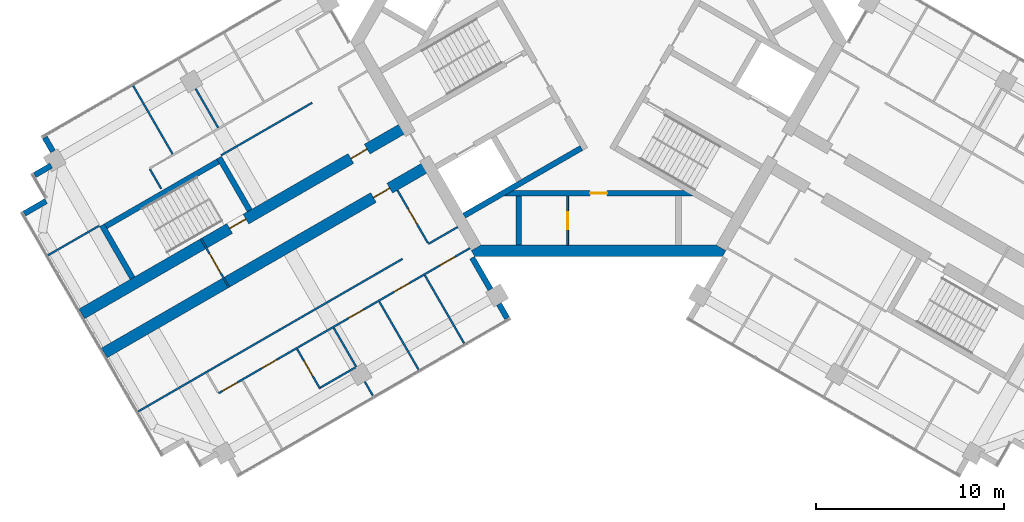
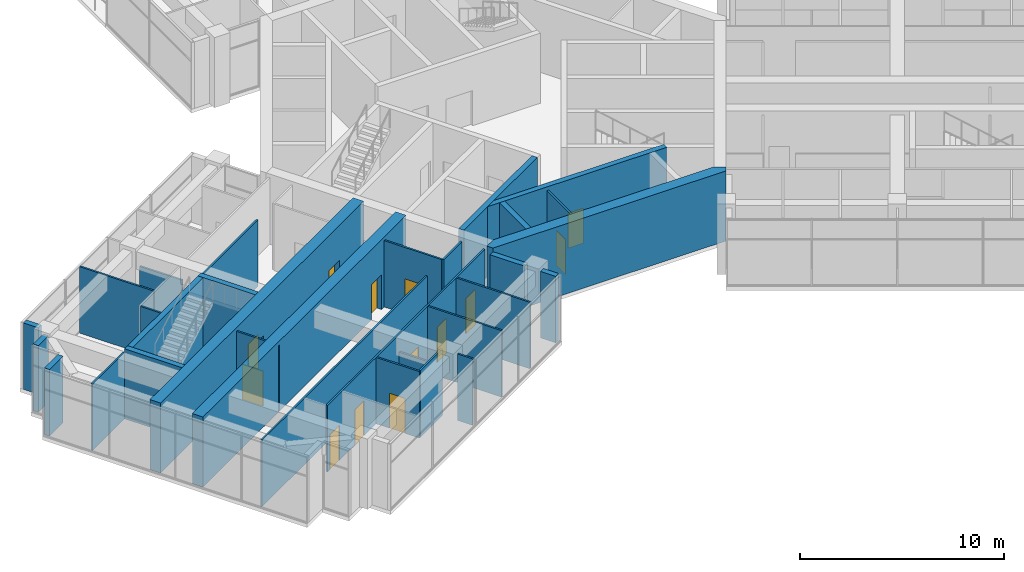
# One storey, part 10 of 15: 31 walls, 13 doors, 13 openings.
"""IFC4 building model written with IfcOpenShell, lengths in metres."""

from ifc_helpers import new_model, si_unit, direction, frame, frame_2d, origin, place, context, subcontext, project, spatial, polyline, rectangle, outline, extrude, material, layer, layer_set, type_object, element, fill, save


model = new_model("IFC4")

# Units and contexts
model_context = context("Model", 3, precision=1e-05, world=origin(), true_north=direction((0.0, 1.0)))
body_context = subcontext(model_context, "Body", "Model", "MODEL_VIEW")
ifc_project = project(units=[si_unit("LENGTHUNIT", "METRE"), si_unit("AREAUNIT", "SQUARE_METRE"), si_unit("VOLUMEUNIT", "CUBIC_METRE"), si_unit("PLANEANGLEUNIT", "RADIAN"), si_unit("MASSUNIT", "GRAM", prefix="KILO")], contexts=[model_context])

# Site, building, storey
site_placement = place(None, origin())
site = spatial("IfcSite", under=ifc_project, at=site_placement, CompositionType="ELEMENT")
building_placement = place(site_placement, origin())
building = spatial("IfcBuilding", under=site, at=building_placement, Name="Impinga Residences", CompositionType="ELEMENT")
storey_placement = place(building_placement, frame((0.0, 0.0, 274.75)))
storey = spatial("IfcBuildingStorey", under=building, at=storey_placement, Name="L69", CompositionType="ELEMENT", Elevation=274.75)

# Wall, opening, door
ifc_material_1 = material(Name="Concrete C60/75", Category="concrete")
ifc_layer_1 = layer(ifc_material_1, 0.60009765625)
ifc_layer_set_1 = layer_set([ifc_layer_1], Name="Concrete C60/75")
wall_type_1 = type_object("IfcWallType", Name="BW3 corridor buttress wall, L46 to L73 600", PredefinedType="SHEAR", material=ifc_layer_set_1)
wall_1_placement = place(storey_placement, frame((-9.040283203125, -6.60498046875, 0.0), z_axis=(0.0, 0.0, 1.0), x_axis=(-0.866025922281, -0.499999101937, 0.0)))
wall_1 = element("IfcWall", 1, at=wall_1_placement, inside=storey, type_object=wall_type_1, Name="Corridor wall BW3 WC L69", PredefinedType="SHEAR", context=body_context, shape_type="SweptSolid", body=[
    extrude(rectangle(XDim=19.93798828125, YDim=0.60009765625, at=frame_2d((9.968994140625, 0.0))), origin(), (0.0, 0.0, 1.0), 4.199951171875),
])
opening_1_placement = place(wall_1_placement, frame((2.39990234375, 0.0, 0.0)))
opening_1 = element("IfcOpeningElement", 2, at=opening_1_placement, cuts=wall_1, Name="Opening D1", PredefinedType="OPENING", context=body_context, shape_type="SweptSolid", body=[
    extrude(rectangle(XDim=1.0, YDim=2.10009765625, at=frame_2d((0.5, 1.050048828125))), frame((0.0, 0.31005859375, 0.0), z_axis=(0.0, -1.0, 0.0), x_axis=(1.0, 0.0, 0.0)), (0.0, 0.0, 1.0), 0.6201171875),
])
ifc_material_2 = material(Name="Timber door set", Category="wood")
door_type_1 = type_object("IfcDoorType", Name="D1 apartment entrance door 1000x2100", OperationType="SINGLE_SWING_LEFT", PredefinedType="DOOR", material=ifc_material_2)
door_1_placement = place(opening_1_placement, origin())
door_1 = element("IfcDoor", 3, at=door_1_placement, inside=storey, type_object=door_type_1, Name="Apartment L69-WA1 entrance", OperationType="SINGLE_SWING_LEFT", OverallHeight=2.10009765625, OverallWidth=1.0, PredefinedType="DOOR", context=body_context, shape_type="SweptSolid", body=[
    extrude(rectangle(XDim=1.0, YDim=2.10009765625, at=frame_2d((0.5, 1.050048828125))), frame((0.0, 0.02490234375, 0.0), z_axis=(0.0, -1.0, 0.0), x_axis=(1.0, 0.0, 0.0)), (0.0, 0.0, 1.0), 0.050048828125),
])
fill(opening_1, door_1)

# Wall, openings, doors
wall_2_placement = place(storey_placement, frame((-10.240234375, -4.526611328125, 0.0), z_axis=(0.0, 0.0, 1.0), x_axis=(-0.866025922281, -0.499999101937, 0.0)))
wall_2 = element("IfcWall", 4, at=wall_2_placement, inside=storey, type_object=wall_type_1, Name="Corridor wall BW3 WD L69", PredefinedType="SHEAR", context=body_context, shape_type="SweptSolid", body=[
    extrude(rectangle(XDim=19.93798828125, YDim=0.60009765625, at=frame_2d((9.968994140625, 0.0))), origin(), (0.0, 0.0, 1.0), 4.199951171875),
])
opening_2_placement = place(wall_2_placement, frame((9.85009765625, 0.0, 0.0)))
opening_2 = element("IfcOpeningElement", 5, at=opening_2_placement, cuts=wall_2, Name="Opening D5", PredefinedType="OPENING", context=body_context, shape_type="SweptSolid", body=[
    extrude(rectangle(XDim=1.0, YDim=2.10009765625, at=frame_2d((0.5, 1.050048828125))), frame((0.0, 0.31005859375, 0.0), z_axis=(0.0, -1.0, 0.0), x_axis=(1.0, 0.0, 0.0)), (0.0, 0.0, 1.0), 0.6201171875),
])
opening_3_placement = place(wall_2_placement, frame((2.39990234375, 0.0, 0.0)))
opening_3 = element("IfcOpeningElement", 6, at=opening_3_placement, cuts=wall_2, Name="Opening D1", PredefinedType="OPENING", context=body_context, shape_type="SweptSolid", body=[
    extrude(rectangle(XDim=1.0, YDim=2.10009765625, at=frame_2d((0.5, 1.050048828125))), frame((0.0, 0.31005859375, 0.0), z_axis=(0.0, -1.0, 0.0), x_axis=(1.0, 0.0, 0.0)), (0.0, 0.0, 1.0), 0.6201171875),
])
door_2_placement = place(opening_3_placement, origin())
door_2 = element("IfcDoor", 7, at=door_2_placement, inside=storey, type_object=door_type_1, Name="Apartment L69-WF1 entrance", OperationType="SINGLE_SWING_LEFT", OverallHeight=2.10009765625, OverallWidth=1.0, PredefinedType="DOOR", context=body_context, shape_type="SweptSolid", body=[
    extrude(rectangle(XDim=1.0, YDim=2.10009765625, at=frame_2d((0.5, 1.050048828125))), frame((0.0, 0.02490234375, 0.0), z_axis=(0.0, -1.0, 0.0), x_axis=(1.0, 0.0, 0.0)), (0.0, 0.0, 1.0), 0.050048828125),
])
fill(opening_3, door_2)
door_type_2 = type_object("IfcDoorType", Name="D5 stair door 1000x2100", OperationType="SINGLE_SWING_LEFT", PredefinedType="DOOR", material=ifc_material_2)
door_3_placement = place(opening_2_placement, origin())
door_3 = element("IfcDoor", 8, at=door_3_placement, inside=storey, type_object=door_type_2, Name="Wing stair door W", OperationType="SINGLE_SWING_RIGHT", OverallHeight=2.10009765625, OverallWidth=1.0, PredefinedType="DOOR", context=body_context, shape_type="SweptSolid", body=[
    extrude(rectangle(XDim=1.0, YDim=2.10009765625, at=frame_2d((0.5, 1.050048828125))), frame((0.0, 0.02490234375, 0.0), z_axis=(0.0, -1.0, 0.0), x_axis=(1.0, 0.0, 0.0)), (0.0, 0.0, 1.0), 0.050048828125),
])
fill(opening_2, door_3)

# Wall, opening, door
ifc_material_3 = material(Name="Concrete blockwork", Category="masonry")
ifc_layer_2 = layer(ifc_material_3, 0.10009765625)
ifc_layer_set_2 = layer_set([ifc_layer_2], Name="CP1 core room partition, blockwork 100")
wall_type_2 = type_object("IfcWallType", Name="CP1 core room partition, blockwork 100", PredefinedType="PARTITIONING", material=ifc_layer_set_2)
wall_3_placement = place(storey_placement, frame((-1.64990234375, -8.2314453125, 0.0), z_axis=(0.0, 0.0, 1.0), x_axis=(0.0, -1.0, 0.0)))
wall_3 = element("IfcWall", 9, at=wall_3_placement, inside=storey, type_object=wall_type_2, Name="Core room partition, blockwork L69:CORE:low:ZP1", PredefinedType="PARTITIONING", context=body_context, shape_type="SweptSolid", body=[
    extrude(rectangle(XDim=2.60009765625, YDim=0.10009765625, at=frame_2d((1.300048828125, 0.0))), origin(), (0.0, 0.0, 1.0), 3.97998046875),
])
opening_4_placement = place(wall_3_placement, frame((0.85009765625, 0.0, 0.0)))
opening_4 = element("IfcOpeningElement", 10, at=opening_4_placement, cuts=wall_3, Name="Opening D6", PredefinedType="OPENING", context=body_context, shape_type="SweptSolid", body=[
    extrude(rectangle(XDim=0.89990234375, YDim=2.10009765625, at=frame_2d((0.449951171875, 1.050048828125))), frame((0.0, 0.06005859375, 0.0), z_axis=(0.0, -1.0, 0.0), x_axis=(1.0, 0.0, 0.0)), (0.0, 0.0, 1.0), 0.1201171875),
])
door_type_3 = type_object("IfcDoorType", Name="D6 riser and store door 900x2100", OperationType="SINGLE_SWING_LEFT", PredefinedType="DOOR", material=ifc_material_2)
door_4_placement = place(opening_4_placement, origin())
door_4 = element("IfcDoor", 11, at=door_4_placement, inside=storey, type_object=door_type_3, Name="Residents' storage lockers door", OperationType="SINGLE_SWING_LEFT", OverallHeight=2.10009765625, OverallWidth=0.89990234375, PredefinedType="DOOR", context=body_context, shape_type="SweptSolid", body=[
    extrude(rectangle(XDim=0.89990234375, YDim=2.10009765625, at=frame_2d((0.449951171875, 1.050048828125))), frame((0.0, 0.02490234375, 0.0), z_axis=(0.0, -1.0, 0.0), x_axis=(1.0, 0.0, 0.0)), (0.0, 0.0, 1.0), 0.050048828125),
])
fill(opening_4, door_4)

wall_4_placement = place(storey_placement, frame((-19.672119140625, -13.08984375, 0.0), z_axis=(0.0, 0.0, 1.0), x_axis=(-0.499990139034, 0.866031096941, 0.0)))
wall_4 = element("IfcWall", 12, at=wall_4_placement, inside=storey, type_object=wall_type_2, Name="Core room partition, blockwork L69:W:LNG", PredefinedType="PARTITIONING", context=body_context, shape_type="SweptSolid", body=[
    extrude(rectangle(XDim=3.0, YDim=0.10009765625, at=frame_2d((1.5, 0.0))), origin(), (0.0, 0.0, 1.0), 3.97998046875),
])
opening_5_placement = place(wall_4_placement, frame((0.89990234375, 0.0, 0.0)))
opening_5 = element("IfcOpeningElement", 13, at=opening_5_placement, cuts=wall_4, Name="Opening D3", PredefinedType="OPENING", context=body_context, shape_type="SweptSolid", body=[
    extrude(rectangle(XDim=1.199951171875, YDim=2.10009765625, at=frame_2d((0.60009765625, 1.050048828125))), frame((0.0, 0.06005859375, 0.0), z_axis=(0.0, -1.0, 0.0), x_axis=(1.0, 0.0, 0.0)), (0.0, 0.0, 1.0), 0.1201171875),
])
door_type_4 = type_object("IfcDoorType", Name="D3 room door, leaf and a half 1200x2100", OperationType="DOUBLE_SWING_LEFT", PredefinedType="DOOR", material=ifc_material_2)
door_5_placement = place(opening_5_placement, origin())
door_5 = element("IfcDoor", 14, at=door_5_placement, inside=storey, type_object=door_type_4, Name="Residents' lounge door W", OperationType="DOUBLE_SWING_LEFT", OverallHeight=2.10009765625, OverallWidth=1.199951171875, PredefinedType="DOOR", context=body_context, shape_type="SweptSolid", body=[
    extrude(rectangle(XDim=1.199951171875, YDim=2.10009765625, at=frame_2d((0.60009765625, 1.050048828125))), frame((0.0, 0.02490234375, 0.0), z_axis=(0.0, -1.0, 0.0), x_axis=(1.0, 0.0, 0.0)), (0.0, 0.0, 1.0), 0.050048828125),
])
fill(opening_5, door_5)

# Walls
ifc_material_4 = material(Name="Stone facing on blockwork", Category="masonry")
ifc_layer_3 = layer(ifc_material_4, 0.300048828125)
ifc_layer_set_3 = layer_set([ifc_layer_3], Name="EW2 external wall, stone facing on blockwork 300")
wall_type_3 = type_object("IfcWallType", Name="EW2 external wall, stone facing on blockwork 300", PredefinedType="SOLIDWALL", material=ifc_layer_set_3)
wall_5_placement = place(storey_placement, frame((-30.56201171875, -9.157958984375, 0.0), z_axis=(0.0, 0.0, 1.0), x_axis=(0.866020521143, 0.500008456887, 0.0)))
element("IfcWall", 15, at=wall_5_placement, inside=storey, type_object=wall_type_3, Name="External wall EW2 L69", PredefinedType="SOLIDWALL", context=body_context, shape_type="SweptSolid", body=[
    extrude(rectangle(XDim=1.330078125, YDim=0.300048828125, at=frame_2d((0.6650390625, 0.0))), origin(), (0.0, 0.0, 1.0), 3.97998046875),
])
wall_6_placement = place(storey_placement, frame((-30.012939453125, -7.10888671875, 0.0), z_axis=(0.0, 0.0, 1.0), x_axis=(0.866073420066, 0.499916824138, 0.0)))
element("IfcWall", 16, at=wall_6_placement, inside=storey, type_object=wall_type_3, Name="External wall EW2 L69", PredefinedType="SOLIDWALL", context=body_context, shape_type="SweptSolid", body=[
    extrude(rectangle(XDim=1.014892578125, YDim=0.300048828125, at=frame_2d((0.50732421875, 0.0))), origin(), (0.0, 0.0, 1.0), 3.97998046875),
])
wall_7_placement = place(storey_placement, frame((-29.0458984375, -5.854248046875, 0.0), z_axis=(0.0, 0.0, 1.0), x_axis=(-0.499885902046, 0.866091268248, 0.0)))
element("IfcWall", 17, at=wall_7_placement, inside=storey, type_object=wall_type_3, Name="External wall EW2 L69", PredefinedType="SOLIDWALL", context=body_context, shape_type="SweptSolid", body=[
    extrude(rectangle(XDim=0.862060546875, YDim=0.300048828125, at=frame_2d((0.43115234375, 0.0))), origin(), (0.0, 0.0, 1.0), 3.97998046875),
])
wall_8_placement = place(storey_placement, frame((-6.72998046875, -11.506591796875, 0.0), z_axis=(0.0, 0.0, 1.0), x_axis=(0.500043961785, -0.866000020948, 0.0)))
element("IfcWall", 18, at=wall_8_placement, inside=storey, type_object=wall_type_3, Name="External wall EW2 L69", PredefinedType="SOLIDWALL", context=body_context, shape_type="SweptSolid", body=[
    extrude(rectangle(XDim=1.949951171875, YDim=0.300048828125, at=frame_2d((0.97509765625, 0.0))), origin(), (0.0, 0.0, 1.0), 3.97998046875),
])
wall_9_placement = place(storey_placement, frame((-5.304931640625, -13.974609375, 0.0), z_axis=(0.0, 0.0, 1.0), x_axis=(0.500023708017, -0.866011715522, 0.0)))
element("IfcWall", 19, at=wall_9_placement, inside=storey, type_object=wall_type_3, Name="External wall EW2 L69", PredefinedType="SOLIDWALL", context=body_context, shape_type="SweptSolid", body=[
    extrude(rectangle(XDim=0.865234375, YDim=0.300048828125, at=frame_2d((0.4326171875, 0.0))), origin(), (0.0, 0.0, 1.0), 3.97998046875),
])
ifc_material_5 = material(Name="Gypsum board on steel studs", Category="steel")
ifc_layer_4 = layer(ifc_material_5, 0.10009765625)
ifc_layer_set_4 = layer_set([ifc_layer_4], Name="Gypsum board on steel studs")
wall_type_4 = type_object("IfcWallType", Name="IP1 partition 100", PredefinedType="PARTITIONING", material=ifc_layer_set_4)
wall_10_placement = place(storey_placement, frame((-7.5, -9.872802734375, 0.0), z_axis=(0.0, 0.0, 1.0), x_axis=(-0.866047807691, -0.499961193289, 0.0)))
element("IfcWall", 20, at=wall_10_placement, inside=storey, type_object=wall_type_4, Name="Partition L69-WA1:DIV0", PredefinedType="PARTITIONING", context=body_context, shape_type="SweptSolid", body=[
    extrude(rectangle(XDim=1.800048828125, YDim=0.10009765625, at=frame_2d((0.89990234375, 0.0))), origin(), (0.0, 0.0, 1.0), 3.97998046875),
])
wall_11_placement = place(storey_placement, frame((-10.444580078125, -11.57275390625, 0.0), z_axis=(0.0, 0.0, 1.0), x_axis=(-0.86602583418, -0.499999254532, 0.0)))
element("IfcWall", 21, at=wall_11_placement, inside=storey, type_object=wall_type_4, Name="Partition L69-WA1:DIV1", PredefinedType="PARTITIONING", context=body_context, shape_type="SweptSolid", body=[
    extrude(rectangle(XDim=16.23681640625, YDim=0.10009765625, at=frame_2d((8.118408203125, 0.0))), origin(), (0.0, 0.0, 1.0), 3.97998046875),
])

# Wall, openings, doors
wall_12_placement = place(storey_placement, frame((-6.85009765625, -10.99853515625, 0.0), z_axis=(0.0, 0.0, 1.0), x_axis=(-0.866019273868, -0.500010617176, 0.0)))
wall_12 = element("IfcWall", 22, at=wall_12_placement, inside=storey, type_object=wall_type_4, Name="Partition L69-WA1:STRIP", PredefinedType="PARTITIONING", context=body_context, shape_type="SweptSolid", body=[
    extrude(rectangle(XDim=15.449951171875, YDim=0.10009765625, at=frame_2d((7.72509765625, 0.0))), origin(), (0.0, 0.0, 1.0), 3.97998046875),
])
opening_6_placement = place(wall_12_placement, frame((0.925048828125, 0.0, 0.0)))
opening_6 = element("IfcOpeningElement", 23, at=opening_6_placement, cuts=wall_12, Name="Opening D2", PredefinedType="OPENING", context=body_context, shape_type="SweptSolid", body=[
    extrude(rectangle(XDim=0.89990234375, YDim=2.10009765625, at=frame_2d((0.449951171875, 1.050048828125))), frame((0.0, 0.06005859375, 0.0), z_axis=(0.0, -1.0, 0.0), x_axis=(1.0, 0.0, 0.0)), (0.0, 0.0, 1.0), 0.1201171875),
])
opening_7_placement = place(wall_12_placement, frame((3.75, 0.0, 0.0)))
opening_7 = element("IfcOpeningElement", 24, at=opening_7_placement, cuts=wall_12, Name="Opening D2", PredefinedType="OPENING", context=body_context, shape_type="SweptSolid", body=[
    extrude(rectangle(XDim=0.89990234375, YDim=2.10009765625, at=frame_2d((0.449951171875, 1.050048828125))), frame((0.0, 0.06005859375, 0.0), z_axis=(0.0, -1.0, 0.0), x_axis=(1.0, 0.0, 0.0)), (0.0, 0.0, 1.0), 0.1201171875),
])
opening_8_placement = place(wall_12_placement, frame((6.550048828125, 0.0, 0.0)))
opening_8 = element("IfcOpeningElement", 25, at=opening_8_placement, cuts=wall_12, Name="Opening D2", PredefinedType="OPENING", context=body_context, shape_type="SweptSolid", body=[
    extrude(rectangle(XDim=0.89990234375, YDim=2.10009765625, at=frame_2d((0.449951171875, 1.050048828125))), frame((0.0, 0.06005859375, 0.0), z_axis=(0.0, -1.0, 0.0), x_axis=(1.0, 0.0, 0.0)), (0.0, 0.0, 1.0), 0.1201171875),
])
opening_9_placement = place(wall_12_placement, frame((11.875, 0.0, 0.0)))
opening_9 = element("IfcOpeningElement", 26, at=opening_9_placement, cuts=wall_12, Name="Opening D2", PredefinedType="OPENING", context=body_context, shape_type="SweptSolid", body=[
    extrude(rectangle(XDim=0.89990234375, YDim=2.10009765625, at=frame_2d((0.449951171875, 1.050048828125))), frame((0.0, 0.06005859375, 0.0), z_axis=(0.0, -1.0, 0.0), x_axis=(1.0, 0.0, 0.0)), (0.0, 0.0, 1.0), 0.1201171875),
])
opening_10_placement = place(wall_12_placement, frame((14.300048828125, 0.0, 0.0)))
opening_10 = element("IfcOpeningElement", 27, at=opening_10_placement, cuts=wall_12, Name="Opening D2", PredefinedType="OPENING", context=body_context, shape_type="SweptSolid", body=[
    extrude(rectangle(XDim=0.89990234375, YDim=2.10009765625, at=frame_2d((0.449951171875, 1.050048828125))), frame((0.0, 0.06005859375, 0.0), z_axis=(0.0, -1.0, 0.0), x_axis=(1.0, 0.0, 0.0)), (0.0, 0.0, 1.0), 0.1201171875),
])
door_type_5 = type_object("IfcDoorType", Name="D2 internal door 900x2100", OperationType="SINGLE_SWING_LEFT", PredefinedType="DOOR", material=ifc_material_2)
door_6_placement = place(opening_6_placement, origin())
door_6 = element("IfcDoor", 28, at=door_6_placement, inside=storey, type_object=door_type_5, Name="Apartment L69-WA1 room door", OperationType="SINGLE_SWING_LEFT", OverallHeight=2.10009765625, OverallWidth=0.89990234375, PredefinedType="DOOR", context=body_context, shape_type="SweptSolid", body=[
    extrude(rectangle(XDim=0.89990234375, YDim=2.10009765625, at=frame_2d((0.449951171875, 1.050048828125))), frame((0.0, 0.02490234375, 0.0), z_axis=(0.0, -1.0, 0.0), x_axis=(1.0, 0.0, 0.0)), (0.0, 0.0, 1.0), 0.050048828125),
])
fill(opening_6, door_6)
door_7_placement = place(opening_7_placement, origin())
door_7 = element("IfcDoor", 29, at=door_7_placement, inside=storey, type_object=door_type_5, Name="Apartment L69-WA1 room door", OperationType="SINGLE_SWING_LEFT", OverallHeight=2.10009765625, OverallWidth=0.89990234375, PredefinedType="DOOR", context=body_context, shape_type="SweptSolid", body=[
    extrude(rectangle(XDim=0.89990234375, YDim=2.10009765625, at=frame_2d((0.449951171875, 1.050048828125))), frame((0.0, 0.02490234375, 0.0), z_axis=(0.0, -1.0, 0.0), x_axis=(1.0, 0.0, 0.0)), (0.0, 0.0, 1.0), 0.050048828125),
])
fill(opening_7, door_7)
door_8_placement = place(opening_8_placement, origin())
door_8 = element("IfcDoor", 30, at=door_8_placement, inside=storey, type_object=door_type_5, Name="Apartment L69-WA1 room door", OperationType="SINGLE_SWING_LEFT", OverallHeight=2.10009765625, OverallWidth=0.89990234375, PredefinedType="DOOR", context=body_context, shape_type="SweptSolid", body=[
    extrude(rectangle(XDim=0.89990234375, YDim=2.10009765625, at=frame_2d((0.449951171875, 1.050048828125))), frame((0.0, 0.02490234375, 0.0), z_axis=(0.0, -1.0, 0.0), x_axis=(1.0, 0.0, 0.0)), (0.0, 0.0, 1.0), 0.050048828125),
])
fill(opening_8, door_8)
door_9_placement = place(opening_9_placement, origin())
door_9 = element("IfcDoor", 31, at=door_9_placement, inside=storey, type_object=door_type_5, Name="Apartment L69-WA1 room door", OperationType="SINGLE_SWING_RIGHT", OverallHeight=2.10009765625, OverallWidth=0.89990234375, PredefinedType="DOOR", context=body_context, shape_type="SweptSolid", body=[
    extrude(rectangle(XDim=0.89990234375, YDim=2.10009765625, at=frame_2d((0.449951171875, 1.050048828125))), frame((0.0, 0.02490234375, 0.0), z_axis=(0.0, -1.0, 0.0), x_axis=(1.0, 0.0, 0.0)), (0.0, 0.0, 1.0), 0.050048828125),
])
fill(opening_9, door_9)
door_10_placement = place(opening_10_placement, origin())
door_10 = element("IfcDoor", 32, at=door_10_placement, inside=storey, type_object=door_type_5, Name="Apartment L69-WA1 room door", OperationType="SINGLE_SWING_RIGHT", OverallHeight=2.10009765625, OverallWidth=0.89990234375, PredefinedType="DOOR", context=body_context, shape_type="SweptSolid", body=[
    extrude(rectangle(XDim=0.89990234375, YDim=2.10009765625, at=frame_2d((0.449951171875, 1.050048828125))), frame((0.0, 0.02490234375, 0.0), z_axis=(0.0, -1.0, 0.0), x_axis=(1.0, 0.0, 0.0)), (0.0, 0.0, 1.0), 0.050048828125),
])
fill(opening_10, door_10)

# Wall, opening, door
wall_13_placement = place(storey_placement, frame((-10.708740234375, -7.914794921875, 0.0), z_axis=(0.0, 0.0, 1.0), x_axis=(0.499984717929, -0.866034226713, 0.0)))
wall_13 = element("IfcWall", 33, at=wall_13_placement, inside=storey, type_object=wall_type_4, Name="Partition L69-WA1:IB1", PredefinedType="PARTITIONING", context=body_context, shape_type="SweptSolid", body=[
    extrude(rectangle(XDim=3.25, YDim=0.10009765625, at=frame_2d((1.625, 0.0))), origin(), (0.0, 0.0, 1.0), 3.97998046875),
])
opening_11_placement = place(wall_13_placement, frame((1.175048828125, 0.0, 0.0)))
opening_11 = element("IfcOpeningElement", 34, at=opening_11_placement, cuts=wall_13, Name="Opening D2", PredefinedType="OPENING", context=body_context, shape_type="SweptSolid", body=[
    extrude(rectangle(XDim=0.89990234375, YDim=2.10009765625, at=frame_2d((0.449951171875, 1.050048828125))), frame((0.0, 0.06005859375, 0.0), z_axis=(0.0, -1.0, 0.0), x_axis=(1.0, 0.0, 0.0)), (0.0, 0.0, 1.0), 0.1201171875),
])
door_11_placement = place(opening_11_placement, origin())
door_11 = element("IfcDoor", 35, at=door_11_placement, inside=storey, type_object=door_type_5, Name="Apartment L69-WA1 bathroom door", OperationType="SINGLE_SWING_LEFT", OverallHeight=2.10009765625, OverallWidth=0.89990234375, PredefinedType="DOOR", context=body_context, shape_type="SweptSolid", body=[
    extrude(rectangle(XDim=0.89990234375, YDim=2.10009765625, at=frame_2d((0.449951171875, 1.050048828125))), frame((0.0, 0.02490234375, 0.0), z_axis=(0.0, -1.0, 0.0), x_axis=(1.0, 0.0, 0.0)), (0.0, 0.0, 1.0), 0.050048828125),
])
fill(opening_11, door_11)

# Walls
for number, where, z_axis, x_axis, name in (
    (36, (-9.249755859375, -12.44189453125, 0.0), (0.0, 0.0, 1.0), (0.500008475426, -0.86602051044, 0.0), "Partition L69-WA1:OB1"),
    (37, (-11.6748046875, -13.841796875, 0.0), (0.0, 0.0, 1.0), (0.500008475426, -0.86602051044, 0.0), "Partition L69-WA1:OB2"),
):
    element("IfcWall", number, at=place(storey_placement, frame(where, z_axis=z_axis, x_axis=x_axis)), inside=storey, type_object=wall_type_4, Name=name, PredefinedType="PARTITIONING", context=body_context, shape_type="SweptSolid", body=[
        extrude(rectangle(XDim=4.18701171875, YDim=0.10009765625, at=frame_2d((2.093505859375, 0.0))), origin(), (0.0, 0.0, 1.0), 3.97998046875),
    ])
wall_14_placement = place(storey_placement, frame((-14.099609375, -15.241943359375, 0.0), z_axis=(0.0, 0.0, 1.0), x_axis=(0.500001309137, -0.866024647952, 0.0)))
element("IfcWall", 38, at=wall_14_placement, inside=storey, type_object=wall_type_4, Name="Partition L69-WA1:OB3", PredefinedType="PARTITIONING", context=body_context, shape_type="SweptSolid", body=[
    extrude(rectangle(XDim=2.39990234375, YDim=0.10009765625, at=frame_2d((1.199951171875, 0.0))), origin(), (0.0, 0.0, 1.0), 2.929931640625),
])
wall_15_placement = place(storey_placement, frame((-12.44970703125, -18.099609375, 0.0), z_axis=(0.0, 0.0, 1.0), x_axis=(0.500014901547, -0.866016800201, 0.0)))
element("IfcWall", 39, at=wall_15_placement, inside=storey, type_object=wall_type_4, Name="Partition L69-WA1:OB3b", PredefinedType="PARTITIONING", context=body_context, shape_type="SweptSolid", body=[
    extrude(rectangle(XDim=0.8671875, YDim=0.10009765625, at=frame_2d((0.43359375, 0.0))), origin(), (0.0, 0.0, 1.0), 3.97998046875),
])

# Wall, opening, door
wall_16_placement = place(storey_placement, frame((-16.048095703125, -16.366943359375, 0.0), z_axis=(0.0, 0.0, 1.0), x_axis=(0.499987006516, -0.866032905446, 0.0)))
wall_16 = element("IfcWall", 40, at=wall_16_placement, inside=storey, type_object=wall_type_4, Name="Partition L69-WA1:EN1", PredefinedType="PARTITIONING", context=body_context, shape_type="SweptSolid", body=[
    extrude(rectangle(XDim=2.44970703125, YDim=0.10009765625, at=frame_2d((1.224853515625, 0.0))), origin(), (0.0, 0.0, 1.0), 3.97998046875),
])
opening_12_placement = place(wall_16_placement, frame((0.75, 0.0, 0.0)))
opening_12 = element("IfcOpeningElement", 41, at=opening_12_placement, cuts=wall_16, Name="Opening D2", PredefinedType="OPENING", context=body_context, shape_type="SweptSolid", body=[
    extrude(rectangle(XDim=0.89990234375, YDim=2.10009765625, at=frame_2d((0.449951171875, 1.050048828125))), frame((0.0, 0.06005859375, 0.0), z_axis=(0.0, -1.0, 0.0), x_axis=(1.0, 0.0, 0.0)), (0.0, 0.0, 1.0), 0.1201171875),
])
door_12_placement = place(opening_12_placement, origin())
door_12 = element("IfcDoor", 42, at=door_12_placement, inside=storey, type_object=door_type_5, Name="Apartment L69-WA1 en-suite door", OperationType="SINGLE_SWING_LEFT", OverallHeight=2.10009765625, OverallWidth=0.89990234375, PredefinedType="DOOR", context=body_context, shape_type="SweptSolid", body=[
    extrude(rectangle(XDim=0.89990234375, YDim=2.10009765625, at=frame_2d((0.449951171875, 1.050048828125))), frame((0.0, 0.02490234375, 0.0), z_axis=(0.0, -1.0, 0.0), x_axis=(1.0, 0.0, 0.0)), (0.0, 0.0, 1.0), 0.050048828125),
])
fill(opening_12, door_12)

# Walls
wall_17_placement = place(storey_placement, frame((-12.94287109375, -17.34521484375, 0.0), z_axis=(0.0, 0.0, 1.0), x_axis=(-0.866047553582, -0.499961633463, 0.0)))
element("IfcWall", 43, at=wall_17_placement, inside=storey, type_object=wall_type_4, Name="Partition L69-WA1:EN2", PredefinedType="PARTITIONING", context=body_context, shape_type="SweptSolid", body=[
    extrude(rectangle(XDim=2.150146484375, YDim=0.10009765625, at=frame_2d((1.0751953125, 0.0))), origin(), (0.0, 0.0, 1.0), 3.97998046875),
])
wall_18_placement = place(storey_placement, frame((-15.244384765625, -3.2587890625, 0.0), z_axis=(0.0, 0.0, 1.0), x_axis=(-0.866026594901, -0.49999793692, 0.0)))
element("IfcWall", 44, at=wall_18_placement, inside=storey, type_object=wall_type_4, Name="Partition L69-WF1:DIV1", PredefinedType="PARTITIONING", context=body_context, shape_type="SweptSolid", body=[
    extrude(rectangle(XDim=5.60009765625, YDim=0.10009765625, at=frame_2d((2.800048828125, 0.0))), origin(), (0.0, 0.0, 1.0), 3.97998046875),
])
wall_19_placement = place(storey_placement, frame((-26.58935546875, -9.808837890625, 0.0), z_axis=(0.0, 0.0, 1.0), x_axis=(-0.866017106955, -0.500014370254, 0.0)))
element("IfcWall", 45, at=wall_19_placement, inside=storey, type_object=wall_type_4, Name="Partition L69-WF1:DIV2", PredefinedType="PARTITIONING", context=body_context, shape_type="SweptSolid", body=[
    extrude(rectangle(XDim=3.13720703125, YDim=0.10009765625, at=frame_2d((1.568603515625, 0.0))), origin(), (0.0, 0.0, 1.0), 3.97998046875),
])
wall_20_placement = place(storey_placement, frame((-23.2802734375, -7.840576171875, 0.0), z_axis=(0.0, 0.0, 1.0), x_axis=(-0.499880961361, 0.866094119867, 0.0)))
element("IfcWall", 46, at=wall_20_placement, inside=storey, type_object=wall_type_4, Name="Partition L69-WF1:SE1", PredefinedType="PARTITIONING", context=body_context, shape_type="SweptSolid", body=[
    extrude(rectangle(XDim=1.199951171875, YDim=0.10009765625, at=frame_2d((0.60009765625, 0.0))), origin(), (0.0, 0.0, 1.0), 3.97998046875),
])
wall_21_placement = place(storey_placement, frame((-20.24951171875, -4.589599609375, 0.0), z_axis=(0.0, 0.0, 1.0), x_axis=(-0.500077600433, 0.865980596518, 0.0)))
element("IfcWall", 47, at=wall_21_placement, inside=storey, type_object=wall_type_4, Name="Partition L69-WF1:OB2", PredefinedType="PARTITIONING", context=body_context, shape_type="SweptSolid", body=[
    extrude(rectangle(XDim=2.39990234375, YDim=0.10009765625, at=frame_2d((1.199951171875, 0.0))), origin(), (0.0, 0.0, 1.0), 2.929931640625),
])
wall_22_placement = place(storey_placement, frame((-22.674560546875, -5.98974609375, 0.0), z_axis=(0.0, 0.0, 1.0), x_axis=(-0.500008475426, 0.86602051044, 0.0)))
element("IfcWall", 48, at=wall_22_placement, inside=storey, type_object=wall_type_4, Name="Partition L69-WF1:OB3", PredefinedType="PARTITIONING", context=body_context, shape_type="SweptSolid", body=[
    extrude(rectangle(XDim=4.18701171875, YDim=0.10009765625, at=frame_2d((2.093505859375, 0.0))), origin(), (0.0, 0.0, 1.0), 3.97998046875),
])
ifc_layer_5 = layer(ifc_material_1, 0.300048828125)
ifc_layer_set_5 = layer_set([ifc_layer_5], Name="Concrete C60/75")
wall_type_5 = type_object("IfcWallType", Name="SE1 wing stair enclosure wall 300", PredefinedType="SOLIDWALL", material=ifc_layer_set_5)
for number, where, z_axis, x_axis, name in (
    (49, (-18.57421875, -8.99169921875, 0.0), (0.0, 0.0, 1.0), (-0.500017246033, 0.866015446554, 0.0), "Stair enclosure wall SE1 W END0 L69"),
    (50, (-24.8095703125, -12.591796875, 0.0), (0.0, 0.0, 1.0), (-0.499984717929, 0.866034226713, 0.0), "Stair enclosure wall SE1 W END1 L69"),
):
    element("IfcWall", number, at=place(storey_placement, frame(where, z_axis=z_axis, x_axis=x_axis)), inside=storey, type_object=wall_type_5, Name=name, PredefinedType="SOLIDWALL", context=body_context, shape_type="SweptSolid", body=[
        extrude(rectangle(XDim=3.25, YDim=0.300048828125, at=frame_2d((1.625, 0.0))), origin(), (0.0, 0.0, 1.0), 4.199951171875),
    ])
wall_23_placement = place(storey_placement, frame((-20.254150390625, -6.382080078125, 0.0), z_axis=(0.0, 0.0, 1.0), x_axis=(-0.866020008033, -0.500009345598, 0.0)))
element("IfcWall", 51, at=wall_23_placement, inside=storey, type_object=wall_type_5, Name="Stair enclosure wall SE1 W OUT L69", PredefinedType="SOLIDWALL", context=body_context, shape_type="SweptSolid", body=[
    extrude(rectangle(XDim=6.899658203125, YDim=0.300048828125, at=frame_2d((3.44970703125, 0.0))), origin(), (0.0, 0.0, 1.0), 4.199951171875),
])
ifc_layer_6 = layer(ifc_material_1, 0.60009765625)
ifc_layer_set_6 = layer_set([ifc_layer_6], Name="Concrete C60/75")
wall_type_6 = type_object("IfcWallType", Name="SW4 core wall, crown 600", PredefinedType="SHEAR", material=ifc_layer_set_6)
wall_24_placement = place(storey_placement, origin())
element("IfcWall", 52, at=wall_24_placement, inside=storey, type_object=wall_type_6, Name="Core wall SW4 N:EXPOSED L69", PredefinedType="SHEAR", context=body_context, shape_type="SweptSolid", body=[
    extrude(outline(polyline([(-6.60009765625, -11.431640625), (6.60009765625, -11.431640625), (6.773193359375, -11.131591796875), (6.253662109375, -10.83154296875), (-6.253662109375, -10.83154296875), (-6.773193359375, -11.131591796875), (-6.60009765625, -11.431640625)])), origin(), (0.0, 0.0, 1.0), 4.199951171875),
])
ifc_material_6 = material(Name="Concrete C70/85", Category="concrete")
ifc_layer_7 = layer(ifc_material_6, 0.300048828125)
ifc_layer_set_7 = layer_set([ifc_layer_7], Name="Concrete C70/85")
wall_type_7 = type_object("IfcWallType", Name="SW5 core inner wall, stairs, shafts and lobbies 300", PredefinedType="SHEAR", material=ifc_layer_set_7)
wall_25_placement = place(storey_placement, frame((-0.918701171875, -5.668701171875, 0.0), z_axis=(0.0, 0.0, 1.0), x_axis=(-0.866016781112, -0.50001493461, 0.0)))
element("IfcWall", 53, at=wall_25_placement, inside=storey, type_object=wall_type_7, Name="Core wall SW5 W:FF-OUT L69", PredefinedType="SHEAR", context=body_context, shape_type="SweptSolid", body=[
    extrude(rectangle(XDim=7.201416015625, YDim=0.300048828125, at=frame_2d((3.6005859375, 0.0))), origin(), (0.0, 0.0, 1.0), 4.199951171875),
])

# Wall, opening, door
wall_26_placement = place(storey_placement, frame((5.09765625, -8.08154296875, 0.0), z_axis=(0.0, 0.0, 1.0), x_axis=(-1.0, 0.0, 0.0)))
wall_26 = element("IfcWall", 54, at=wall_26_placement, inside=storey, type_object=wall_type_7, Name="Core wall SW5 N:BANK-FRONT L69", PredefinedType="SHEAR", context=body_context, shape_type="SweptSolid", body=[
    extrude(rectangle(XDim=10.1953125, YDim=0.300048828125, at=frame_2d((5.09765625, 0.0))), origin(), (0.0, 0.0, 1.0), 4.199951171875),
])
opening_13_placement = place(wall_26_placement, frame((4.647705078125, 0.0, 0.0)))
opening_13 = element("IfcOpeningElement", 55, at=opening_13_placement, cuts=wall_26, Name="Opening D6", PredefinedType="OPENING", context=body_context, shape_type="SweptSolid", body=[
    extrude(rectangle(XDim=0.89990234375, YDim=2.10009765625, at=frame_2d((0.449951171875, 1.050048828125))), frame((0.0, 0.159912109375, 0.0), z_axis=(0.0, -1.0, 0.0), x_axis=(1.0, 0.0, 0.0)), (0.0, 0.0, 1.0), 0.320068359375),
])
door_13_placement = place(opening_13_placement, origin())
door_13 = element("IfcDoor", 56, at=door_13_placement, inside=storey, type_object=door_type_3, Name="Residents' study door", OperationType="SINGLE_SWING_LEFT", OverallHeight=2.10009765625, OverallWidth=0.89990234375, PredefinedType="DOOR", context=body_context, shape_type="SweptSolid", body=[
    extrude(rectangle(XDim=0.89990234375, YDim=2.10009765625, at=frame_2d((0.449951171875, 1.050048828125))), frame((0.0, 0.02490234375, 0.0), z_axis=(0.0, -1.0, 0.0), x_axis=(1.0, 0.0, 0.0)), (0.0, 0.0, 1.0), 0.050048828125),
])
fill(opening_13, door_13)

# Wall
wall_27_placement = place(storey_placement, frame((-4.25, -8.2314453125, 0.0), z_axis=(0.0, 0.0, 1.0), x_axis=(0.0, -1.0, 0.0)))
element("IfcWall", 57, at=wall_27_placement, inside=storey, type_object=wall_type_7, Name="Core wall SW5 N:BANK-R L69", PredefinedType="SHEAR", context=body_context, shape_type="SweptSolid", body=[
    extrude(rectangle(XDim=2.60009765625, YDim=0.300048828125, at=frame_2d((1.300048828125, 0.0))), origin(), (0.0, 0.0, 1.0), 4.199951171875),
])

save(model, "model.ifc")
